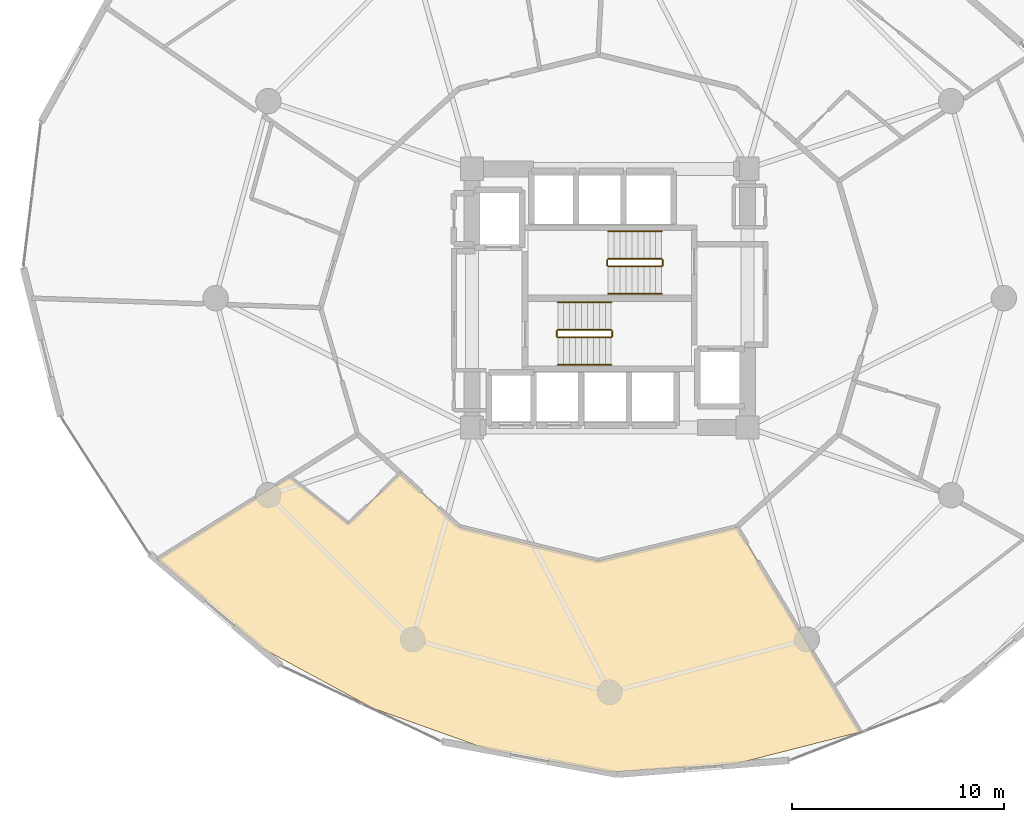
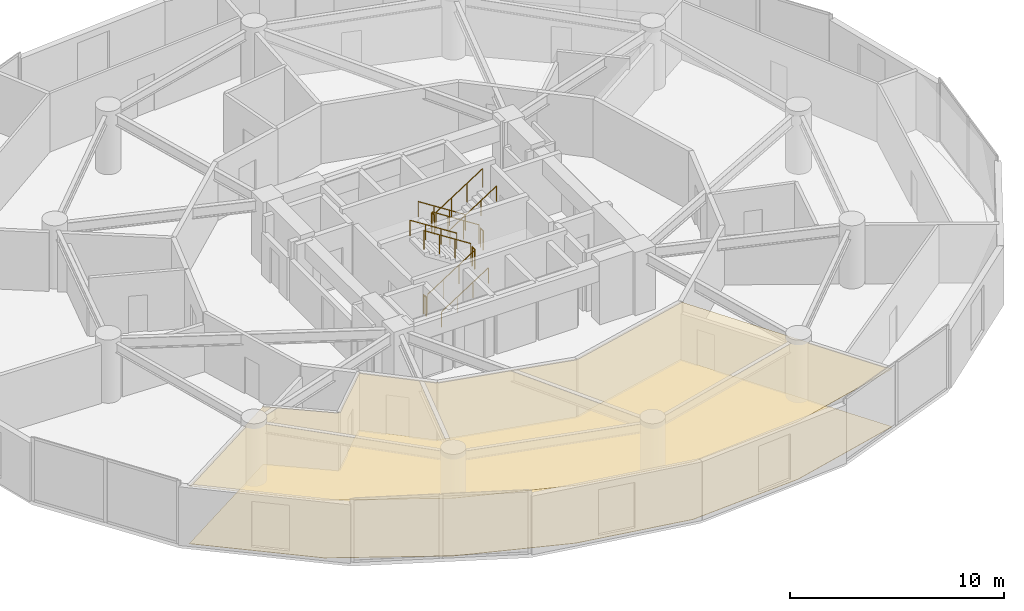
# One storey, part 25 of 26: 12 railings, 2 coverings.
"""IFC4 building model written with IfcOpenShell, lengths in metres."""

import ifcopenshell
import ifcopenshell.guid

model = None  # the IFC model being written
_history = None  # IfcOwnerHistory: only IFC2X3 demands one
_inside = {}  # id of a spatial element -> (the spatial element, [elements in it])
_under = {}  # id of a project, library or spatial element -> (it, [spatial elements below it])
_declared = {}  # id of a project -> (the project, [libraries it declares])
_typed = {}  # id of a type object -> (the type object, [elements of that type])
_made_of = {}  # id of a material, layer set ... -> (it, [elements and type objects made of it])


def new_model(schema):
    """Start an empty IFC model of exactly this schema.

    Asked for "IFC4X3", IfcOpenShell would pick the latest addendum, in which some entities
    have other attributes; the version numbers below select the first issue.
    IFC2X3 requires an IfcOwnerHistory on every rooted entity: one is made here for all.
    """
    global model, _history
    if schema == "IFC4X3":
        model = ifcopenshell.file(schema_version=(4, 3, 0, 0))
    else:
        model = ifcopenshell.file(schema=schema)
    _inside.clear()
    _under.clear()
    _declared.clear()
    _typed.clear()
    _made_of.clear()
    _history = None
    if model.schema == "IFC2X3":
        org = make("IfcOrganization", Name="unknown")
        user = make(
            "IfcPersonAndOrganization",
            ThePerson=make("IfcPerson", FamilyName="unknown"),
            TheOrganization=org,
        )
        app = make(
            "IfcApplication",
            ApplicationDeveloper=org,
            Version="unknown",
            ApplicationFullName="unknown",
            ApplicationIdentifier="unknown",
        )
        _history = make(
            "IfcOwnerHistory",
            OwningUser=user,
            OwningApplication=app,
            ChangeAction="ADDED",
            CreationDate=0,
        )
    return model


def make(cls, **values):
    """One entity of the class cls with the attributes given. An attribute that is None is left unset."""
    return model.create_entity(
        cls, **{name: value for name, value in values.items() if value is not None}
    )


def rooted(cls, **values):
    """An entity with a GlobalId (a new one), such as an element, a storey or a relation."""
    return make(cls, GlobalId=ifcopenshell.guid.new(), OwnerHistory=_history, **values)


def si_unit(unit_type, name, prefix=None):
    """IfcSIUnit, for example si_unit("LENGTHUNIT", "METRE", prefix="MILLI")."""
    return make("IfcSIUnit", UnitType=unit_type, Prefix=prefix, Name=name)


def assignment(units):
    """IfcUnitAssignment: the units of a project."""
    return None if units is None else make("IfcUnitAssignment", Units=units)


def point(xyz):
    """IfcCartesianPoint."""
    return None if xyz is None else make("IfcCartesianPoint", Coordinates=xyz)


def direction(xyz):
    """IfcDirection."""
    return None if xyz is None else make("IfcDirection", DirectionRatios=xyz)


def frame(location, z_axis=None, x_axis=None):
    """IfcAxis2Placement3D, a coordinate frame: its origin and axes. An axis left out is left unset."""
    return make(
        "IfcAxis2Placement3D",
        Location=point(location),
        Axis=direction(z_axis),
        RefDirection=direction(x_axis),
    )


def frame_2d(location, x_axis=None):
    """IfcAxis2Placement2D, a coordinate frame in the plane: its origin and x axis."""
    return make(
        "IfcAxis2Placement2D", Location=point(location), RefDirection=direction(x_axis)
    )


def origin():
    """The frame at (0, 0, 0) with its axes left unset."""
    return frame((0.0, 0.0, 0.0))


def origin_2d():
    """The frame at (0, 0) in the plane with its x axis left unset."""
    return frame_2d((0.0, 0.0))


def place(relative_to, where):
    """IfcLocalPlacement: puts the frame where relative to a parent placement (None: the world)."""
    return make(
        "IfcLocalPlacement", PlacementRelTo=relative_to, RelativePlacement=where
    )


def context(
    kind, dimensions, precision=None, world=None, true_north=None, identifier=None
):
    """IfcGeometricRepresentationContext, for example the 3D "Model" context."""
    return make(
        "IfcGeometricRepresentationContext",
        ContextIdentifier=identifier,
        ContextType=kind,
        CoordinateSpaceDimension=dimensions,
        Precision=precision,
        WorldCoordinateSystem=world,
        TrueNorth=true_north,
    )


def subcontext(parent, identifier, kind, view, scale=None):
    """IfcGeometricRepresentationSubContext, for example "Body" below "Model"."""
    return make(
        "IfcGeometricRepresentationSubContext",
        ContextIdentifier=identifier,
        ContextType=kind,
        ParentContext=parent,
        TargetScale=scale,
        TargetView=view,
    )


def project(units=None, contexts=None):
    """IfcProject with its units and contexts."""
    return rooted(
        "IfcProject",
        Name="project",
        RepresentationContexts=contexts,
        UnitsInContext=assignment(units),
    )


def spatial(cls, under=None, at=None, **own):
    """A site, building, storey or space (cls), placed at a placement, below another one or the project."""
    s = rooted(cls, ObjectPlacement=at, **own)
    if under is not None:
        _under.setdefault(under.id(), (under, []))[1].append(s)
    return s


def polyline(points):
    """IfcPolyline through the points."""
    return make("IfcPolyline", Points=[point(p) for p in points])


def profile(cls, at=None, kind="AREA", **sizes):
    """A parametric profile (cls). Its sizes go by their IFC names, for example OverallWidth=200.0."""
    return make(cls, ProfileType=kind, Position=at, **sizes)


def circle(**sizes):
    """IfcCircleProfileDef."""
    return profile("IfcCircleProfileDef", **sizes)


def outline(outer, holes=None, kind="AREA"):
    """IfcArbitraryClosedProfileDef: a profile drawn as a closed curve; with holes, ...WithVoids."""
    if holes is None:
        return make("IfcArbitraryClosedProfileDef", ProfileType=kind, OuterCurve=outer)
    return make(
        "IfcArbitraryProfileDefWithVoids",
        ProfileType=kind,
        OuterCurve=outer,
        InnerCurves=holes,
    )


def extrude(swept, where, along, depth):
    """IfcExtrudedAreaSolid: the profile swept, set in the frame where, extruded along a direction by depth."""
    return make(
        "IfcExtrudedAreaSolid",
        SweptArea=swept,
        Position=where,
        ExtrudedDirection=direction(along),
        Depth=depth,
    )


def shape(context_of_items, identifier, shape_type, items):
    """IfcShapeRepresentation: the items that make up one representation, for example the "Body"."""
    return make(
        "IfcShapeRepresentation",
        ContextOfItems=context_of_items,
        RepresentationIdentifier=identifier,
        RepresentationType=shape_type,
        Items=items,
    )


def material(Name=None, Category=None):
    """IfcMaterial."""
    return make("IfcMaterial", Name=Name, Category=Category)


def layer(
    of_material, thickness, ventilated=None, Name=None, Category=None, Priority=None
):
    """IfcMaterialLayer: one layer of a wall or slab, of a material (None: an air gap)."""
    return make(
        "IfcMaterialLayer",
        Material=of_material,
        LayerThickness=thickness,
        IsVentilated=ventilated,
        Name=Name,
        Category=Category,
        Priority=Priority,
    )


def layer_set(layers, Name=None):
    """IfcMaterialLayerSet."""
    return make("IfcMaterialLayerSet", MaterialLayers=layers, LayerSetName=Name)


def made_of(thing, what):
    """Note that an element or type object is made of a material, layer set ...; save() writes the relation."""
    if what is not None:
        _made_of.setdefault(what.id(), (what, []))[1].append(thing)
    return thing


def type_object(cls, material=None, **own):
    """A type object (cls), such as IfcWallType, which elements share."""
    return made_of(rooted(cls, **own), material)


def element(
    cls,
    number,
    at=None,
    inside=None,
    cuts=None,
    type_object=None,
    material=None,
    context=None,
    identifier="Body",
    shape_type=None,
    held_by="IfcProductDefinitionShape",
    body=None,
    shapes=None,
    **own,
):
    """One element of the class cls, such as IfcWall. Its Tag is "e" and its number.

    at: its placement. inside: the storey or other place that contains it. cuts: it is an
    opening in that element (IfcRelVoidsElement). A single representation is given by context,
    identifier, shape_type and body (its items); several are given by shapes. held_by: the class
    of the entity that holds the representations. save() writes the other relations.
    """
    e = rooted(cls, Tag="e%d" % number, ObjectPlacement=at, **own)
    if body is not None:
        shapes = [shape(context, identifier, shape_type, body)]
    if shapes is not None:
        e.Representation = make(held_by, Representations=shapes)
    if inside is not None:
        _inside.setdefault(inside.id(), (inside, []))[1].append(e)
    if cuts is not None:
        rooted(
            "IfcRelVoidsElement", RelatingBuildingElement=cuts, RelatedOpeningElement=e
        )
    if type_object is not None:
        _typed.setdefault(type_object.id(), (type_object, []))[1].append(e)
    return made_of(e, material)


def aggregate(whole, parts):
    """IfcRelAggregates: a whole, such as a stair, and the parts it consists of."""
    return rooted("IfcRelAggregates", RelatingObject=whole, RelatedObjects=parts)


def save(model, path):
    """Write the relations noted so far, then the file.

    IfcRelAggregates (storeys below a building ...), IfcRelContainedInSpatialStructure (elements
    in a storey), IfcRelDefinesByType, IfcRelAssociatesMaterial and IfcRelDeclares: one each for
    every whole, place, type object, material and project.
    """
    for whole, parts in _under.values():
        aggregate(whole, parts)
    for where, things in _inside.values():
        rooted(
            "IfcRelContainedInSpatialStructure",
            RelatedElements=things,
            RelatingStructure=where,
        )
    for kind, things in _typed.values():
        rooted("IfcRelDefinesByType", RelatedObjects=things, RelatingType=kind)
    for what, things in _made_of.values():
        rooted("IfcRelAssociatesMaterial", RelatedObjects=things, RelatingMaterial=what)
    for by, libraries in _declared.values():
        rooted("IfcRelDeclares", RelatingContext=by, RelatedDefinitions=libraries)
    model.write(path)


model = new_model("IFC4")

# Units and contexts
model_context = context("Model", 3, precision=1e-05, world=origin(), true_north=direction((0.0, 1.0)))
body_context = subcontext(model_context, "Body", "Model", "MODEL_VIEW")
ifc_project = project(units=[si_unit("LENGTHUNIT", "METRE"), si_unit("AREAUNIT", "SQUARE_METRE"), si_unit("VOLUMEUNIT", "CUBIC_METRE"), si_unit("PLANEANGLEUNIT", "RADIAN"), si_unit("MASSUNIT", "GRAM", prefix="KILO")], contexts=[model_context])

# Site, building, storey
site_placement = place(None, origin())
site = spatial("IfcSite", under=ifc_project, at=site_placement, CompositionType="ELEMENT")
building_placement = place(site_placement, origin())
building = spatial("IfcBuilding", under=site, at=building_placement, Name="Solvirekh Grand Hotel", CompositionType="ELEMENT")
storey_placement = place(building_placement, frame((0.0, 0.0, 68.0)))
storey = spatial("IfcBuildingStorey", under=building, at=storey_placement, Name="L16", CompositionType="ELEMENT", Elevation=68.0)

# Coverings
ifc_material_1 = material(Name="Acoustic Mineral Ceiling Tile")
ifc_layer_1 = layer(ifc_material_1, 0.02490234375)
ifc_layer_set_1 = layer_set([ifc_layer_1], Name="Acoustic Mineral Ceiling Tile")
covering_type_1 = type_object("IfcCoveringType", Name="Cov_Ceiling_Acoustic", PredefinedType="CEILING", material=ifc_layer_set_1)
covering_1_placement = place(storey_placement, frame((0.0, 0.0, 3.2900390625)))
element("IfcCovering", 1, at=covering_1_placement, inside=storey, type_object=covering_type_1, Name="L16 Presidential Suite 1801 Living Room acoustic ceiling", PredefinedType="CEILING", context=body_context, shape_type="SweptSolid", body=[
    extrude(outline(polyline([(-12.326904296875, -10.64697265625), (-15.10888671875, -8.430908203125), (-21.347900390625, -12.324951171875), (-16.47802734375, -16.47802734375), (-11.173095703125, -19.35302734375), (-5.708984375, -21.304931640625), (0.0, -22.3701171875), (5.89208984375, -21.987060546875), (11.821044921875, -20.47412109375), (6.0, -10.799072265625), (-0.550048828125, -12.39990234375), (-7.10009765625, -10.799072265625), (-9.881103515625, -8.261962890625), (-12.326904296875, -10.64697265625)])), origin(), (0.0, 0.0, 1.0), 0.01806640625),
])
ifc_material_2 = material(Name="Porcelain Stoneware Flooring", Category="masonry")
ifc_layer_2 = layer(ifc_material_2, 0.030029296875)
ifc_layer_set_2 = layer_set([ifc_layer_2], Name="Porcelain Stoneware Flooring")
covering_type_2 = type_object("IfcCoveringType", Name="Cov_Floor_Stone", PredefinedType="FLOORING", material=ifc_layer_set_2)
covering_2_placement = place(storey_placement, origin())
element("IfcCovering", 2, at=covering_2_placement, inside=storey, type_object=covering_type_2, Name="L16 Presidential Suite 1801 Living Room polished granite flooring", PredefinedType="FLOORING", context=body_context, shape_type="SweptSolid", body=[
    extrude(outline(polyline([(-12.326904296875, -10.64697265625), (-15.10888671875, -8.430908203125), (-21.347900390625, -12.324951171875), (-16.47802734375, -16.47802734375), (-11.173095703125, -19.35302734375), (-5.708984375, -21.304931640625), (0.0, -22.3701171875), (5.89208984375, -21.987060546875), (11.821044921875, -20.47412109375), (6.0, -10.799072265625), (-0.550048828125, -12.39990234375), (-7.10009765625, -10.799072265625), (-9.881103515625, -8.261962890625), (-12.326904296875, -10.64697265625)])), origin(), (0.0, 0.0, 1.0), 0.02001953125),
])

# Railings
ifc_material_3 = material(Name="Steel S355", Category="steel")
railing_type_1 = type_object("IfcRailingType", Name="Guard_Stair_1100", PredefinedType="GUARDRAIL", material=ifc_material_3)
railing_1_placement = place(storey_placement, frame((-2.449951171875, -1.85009765625, 0.179931640625)))
element("IfcRailing", 3, at=railing_1_placement, inside=storey, type_object=railing_type_1, Name="L16 ST-1 stair guard 1", PredefinedType="GUARDRAIL", context=body_context, shape_type="SweptSolid", body=[
    extrude(circle(Radius=0.02392578125, at=origin_2d()), frame((0.0, 0.0, 1.076171875), z_axis=(0.841162588446, 0.0, 0.540782303519), x_axis=(0.0, 1.0, 0.0)), (0.0, 0.0, 1.0), 2.995849609375),
    extrude(circle(Radius=0.02099609375, at=origin_2d()), origin(), (0.0, 0.0, 1.0), 1.052001953125),
    extrude(circle(Radius=0.02099609375, at=origin_2d()), frame((0.840087890625, 0.0, 0.5400390625)), (0.0, 0.0, 1.0), 1.052001953125),
    extrude(circle(Radius=0.02099609375, at=origin_2d()), frame((1.679931640625, 0.0, 1.080078125)), (0.0, 0.0, 1.0), 1.052001953125),
    extrude(circle(Radius=0.02099609375, at=origin_2d()), frame((2.52001953125, 0.0, 1.6201171875)), (0.0, 0.0, 1.0), 1.052001953125),
])
railing_2_placement = place(storey_placement, frame((0.1201171875, -1.800048828125, 1.800048828125)))
element("IfcRailing", 4, at=railing_2_placement, inside=storey, type_object=railing_type_1, Name="L16 ST-1 stair guard 2", PredefinedType="GUARDRAIL", context=body_context, shape_type="SweptSolid", body=[
    extrude(circle(Radius=0.02392578125, at=origin_2d()), frame((0.0, 0.0, 1.076171875), z_axis=(0.0, 1.0, 0.0), x_axis=(-1.0, 0.0, 0.0)), (0.0, 0.0, 1.0), 0.25),
    extrude(circle(Radius=0.02099609375, at=origin_2d()), origin(), (0.0, 0.0, 1.0), 1.052001953125),
    extrude(circle(Radius=0.02099609375, at=origin_2d()), frame((0.0, 0.25, 0.0)), (0.0, 0.0, 1.0), 1.052001953125),
])
railing_3_placement = place(storey_placement, frame((0.070068359375, -1.5, 1.97998046875)))
element("IfcRailing", 5, at=railing_3_placement, inside=storey, type_object=railing_type_1, Name="L16 ST-1 stair guard 3", PredefinedType="GUARDRAIL", context=body_context, shape_type="SweptSolid", body=[
    extrude(circle(Radius=0.02392578125, at=origin_2d()), frame((0.0, 0.0, 1.076171875), z_axis=(-0.841162588446, 0.0, 0.540782303519), x_axis=(0.0, -1.0, 0.0)), (0.0, 0.0, 1.0), 2.995849609375),
    extrude(circle(Radius=0.02099609375, at=origin_2d()), origin(), (0.0, 0.0, 1.0), 1.052001953125),
    extrude(circle(Radius=0.02099609375, at=origin_2d()), frame((-0.840087890625, 0.0, 0.5400390625)), (0.0, 0.0, 1.0), 1.052001953125),
    extrude(circle(Radius=0.02099609375, at=origin_2d()), frame((-1.679931640625, 0.0, 1.080078125)), (0.0, 0.0, 1.0), 1.052001953125),
    extrude(circle(Radius=0.02099609375, at=origin_2d()), frame((-2.52001953125, 0.0, 1.6201171875)), (0.0, 0.0, 1.0), 1.052001953125),
])
railing_4_placement = place(storey_placement, frame((-2.5, -1.800048828125, 0.0)))
element("IfcRailing", 6, at=railing_4_placement, inside=storey, type_object=railing_type_1, Name="L16 ST-1 stair guard 4", PredefinedType="GUARDRAIL", context=body_context, shape_type="SweptSolid", body=[
    extrude(circle(Radius=0.02392578125, at=origin_2d()), frame((0.0, 0.0, 1.076171875), z_axis=(0.0, 1.0, 0.0), x_axis=(-1.0, 0.0, 0.0)), (0.0, 0.0, 1.0), 0.25),
    extrude(circle(Radius=0.02099609375, at=origin_2d()), origin(), (0.0, 0.0, 1.0), 1.052001953125),
    extrude(circle(Radius=0.02099609375, at=origin_2d()), frame((0.0, 0.25, 0.0)), (0.0, 0.0, 1.0), 1.052001953125),
])
railing_5_placement = place(storey_placement, frame((2.449951171875, 1.85009765625, 0.179931640625)))
element("IfcRailing", 7, at=railing_5_placement, inside=storey, type_object=railing_type_1, Name="L16 ST-2 stair guard 1", PredefinedType="GUARDRAIL", context=body_context, shape_type="SweptSolid", body=[
    extrude(circle(Radius=0.02392578125, at=origin_2d()), frame((0.0, 0.0, 1.076171875), z_axis=(-0.841162588446, 0.0, 0.540782303519), x_axis=(0.0, -1.0, 0.0)), (0.0, 0.0, 1.0), 2.995849609375),
    extrude(circle(Radius=0.02099609375, at=origin_2d()), origin(), (0.0, 0.0, 1.0), 1.052001953125),
    extrude(circle(Radius=0.02099609375, at=origin_2d()), frame((-0.840087890625, 0.0, 0.5400390625)), (0.0, 0.0, 1.0), 1.052001953125),
    extrude(circle(Radius=0.02099609375, at=origin_2d()), frame((-1.679931640625, 0.0, 1.080078125)), (0.0, 0.0, 1.0), 1.052001953125),
    extrude(circle(Radius=0.02099609375, at=origin_2d()), frame((-2.52001953125, 0.0, 1.6201171875)), (0.0, 0.0, 1.0), 1.052001953125),
])
railing_6_placement = place(storey_placement, frame((-0.1201171875, 1.800048828125, 1.800048828125)))
element("IfcRailing", 8, at=railing_6_placement, inside=storey, type_object=railing_type_1, Name="L16 ST-2 stair guard 2", PredefinedType="GUARDRAIL", context=body_context, shape_type="SweptSolid", body=[
    extrude(circle(Radius=0.02392578125, at=origin_2d()), frame((0.0, 0.0, 1.076171875), z_axis=(0.0, -1.0, 0.0), x_axis=(1.0, 0.0, 0.0)), (0.0, 0.0, 1.0), 0.25),
    extrude(circle(Radius=0.02099609375, at=origin_2d()), origin(), (0.0, 0.0, 1.0), 1.052001953125),
    extrude(circle(Radius=0.02099609375, at=origin_2d()), frame((0.0, -0.25, 0.0)), (0.0, 0.0, 1.0), 1.052001953125),
])
railing_7_placement = place(storey_placement, frame((-0.070068359375, 1.5, 1.97998046875)))
element("IfcRailing", 9, at=railing_7_placement, inside=storey, type_object=railing_type_1, Name="L16 ST-2 stair guard 3", PredefinedType="GUARDRAIL", context=body_context, shape_type="SweptSolid", body=[
    extrude(circle(Radius=0.02392578125, at=origin_2d()), frame((0.0, 0.0, 1.076171875), z_axis=(0.841162588446, 0.0, 0.540782303519), x_axis=(0.0, 1.0, 0.0)), (0.0, 0.0, 1.0), 2.995849609375),
    extrude(circle(Radius=0.02099609375, at=origin_2d()), origin(), (0.0, 0.0, 1.0), 1.052001953125),
    extrude(circle(Radius=0.02099609375, at=origin_2d()), frame((0.840087890625, 0.0, 0.5400390625)), (0.0, 0.0, 1.0), 1.052001953125),
    extrude(circle(Radius=0.02099609375, at=origin_2d()), frame((1.679931640625, 0.0, 1.080078125)), (0.0, 0.0, 1.0), 1.052001953125),
    extrude(circle(Radius=0.02099609375, at=origin_2d()), frame((2.52001953125, 0.0, 1.6201171875)), (0.0, 0.0, 1.0), 1.052001953125),
])
railing_8_placement = place(storey_placement, frame((2.5, 1.800048828125, 0.0)))
element("IfcRailing", 10, at=railing_8_placement, inside=storey, type_object=railing_type_1, Name="L16 ST-2 stair guard 4", PredefinedType="GUARDRAIL", context=body_context, shape_type="SweptSolid", body=[
    extrude(circle(Radius=0.02392578125, at=origin_2d()), frame((0.0, 0.0, 1.076171875), z_axis=(0.0, -1.0, 0.0), x_axis=(1.0, 0.0, 0.0)), (0.0, 0.0, 1.0), 0.25),
    extrude(circle(Radius=0.02099609375, at=origin_2d()), origin(), (0.0, 0.0, 1.0), 1.052001953125),
    extrude(circle(Radius=0.02099609375, at=origin_2d()), frame((0.0, -0.25, 0.0)), (0.0, 0.0, 1.0), 1.052001953125),
])
ifc_material_4 = material(Name="Anodized Bronze Aluminium 6063-T6", Category="aluminium")
railing_type_2 = type_object("IfcRailingType", Name="Handrail_Wall_900", PredefinedType="HANDRAIL", material=ifc_material_4)
railing_9_placement = place(storey_placement, frame((-2.449951171875, -3.14990234375, 0.179931640625)))
element("IfcRailing", 11, at=railing_9_placement, inside=storey, type_object=railing_type_2, Name="L16 ST-1 stair handrail 1", PredefinedType="HANDRAIL", context=body_context, shape_type="SweptSolid", body=[
    extrude(circle(Radius=0.02392578125, at=origin_2d()), frame((0.0, 0.0, 0.8759765625), z_axis=(0.841162588446, 0.0, 0.540782303519), x_axis=(0.0, 1.0, 0.0)), (0.0, 0.0, 1.0), 2.995849609375),
    extrude(circle(Radius=0.02099609375, at=origin_2d()), origin(), (0.0, 0.0, 1.0), 0.851806640625),
    extrude(circle(Radius=0.02099609375, at=origin_2d()), frame((0.840087890625, 0.0, 0.5400390625)), (0.0, 0.0, 1.0), 0.851806640625),
    extrude(circle(Radius=0.02099609375, at=origin_2d()), frame((1.679931640625, 0.0, 1.080078125)), (0.0, 0.0, 1.0), 0.851806640625),
    extrude(circle(Radius=0.02099609375, at=origin_2d()), frame((2.52001953125, 0.0, 1.6201171875)), (0.0, 0.0, 1.0), 0.851806640625),
])
for number, where, name in (
    (12, (0.070068359375, -0.199951171875, 1.97998046875), "L16 ST-1 stair handrail 2"),
    (13, (2.449951171875, 3.14990234375, 0.179931640625), "L16 ST-2 stair handrail 1"),
):
    element("IfcRailing", number, at=place(storey_placement, frame(where)), inside=storey, type_object=railing_type_2, Name=name, PredefinedType="HANDRAIL", context=body_context, shape_type="SweptSolid", body=[
        extrude(circle(Radius=0.02392578125, at=origin_2d()), frame((0.0, 0.0, 0.8759765625), z_axis=(-0.841162588446, 0.0, 0.540782303519), x_axis=(0.0, -1.0, 0.0)), (0.0, 0.0, 1.0), 2.995849609375),
        extrude(circle(Radius=0.02099609375, at=origin_2d()), origin(), (0.0, 0.0, 1.0), 0.851806640625),
        extrude(circle(Radius=0.02099609375, at=origin_2d()), frame((-0.840087890625, 0.0, 0.5400390625)), (0.0, 0.0, 1.0), 0.851806640625),
        extrude(circle(Radius=0.02099609375, at=origin_2d()), frame((-1.679931640625, 0.0, 1.080078125)), (0.0, 0.0, 1.0), 0.851806640625),
        extrude(circle(Radius=0.02099609375, at=origin_2d()), frame((-2.52001953125, 0.0, 1.6201171875)), (0.0, 0.0, 1.0), 0.851806640625),
    ])
railing_10_placement = place(storey_placement, frame((-0.070068359375, 0.199951171875, 1.97998046875)))
element("IfcRailing", 14, at=railing_10_placement, inside=storey, type_object=railing_type_2, Name="L16 ST-2 stair handrail 2", PredefinedType="HANDRAIL", context=body_context, shape_type="SweptSolid", body=[
    extrude(circle(Radius=0.02392578125, at=origin_2d()), frame((0.0, 0.0, 0.8759765625), z_axis=(0.841162588446, 0.0, 0.540782303519), x_axis=(0.0, 1.0, 0.0)), (0.0, 0.0, 1.0), 2.995849609375),
    extrude(circle(Radius=0.02099609375, at=origin_2d()), origin(), (0.0, 0.0, 1.0), 0.851806640625),
    extrude(circle(Radius=0.02099609375, at=origin_2d()), frame((0.840087890625, 0.0, 0.5400390625)), (0.0, 0.0, 1.0), 0.851806640625),
    extrude(circle(Radius=0.02099609375, at=origin_2d()), frame((1.679931640625, 0.0, 1.080078125)), (0.0, 0.0, 1.0), 0.851806640625),
    extrude(circle(Radius=0.02099609375, at=origin_2d()), frame((2.52001953125, 0.0, 1.6201171875)), (0.0, 0.0, 1.0), 0.851806640625),
])

save(model, "model.ifc")
